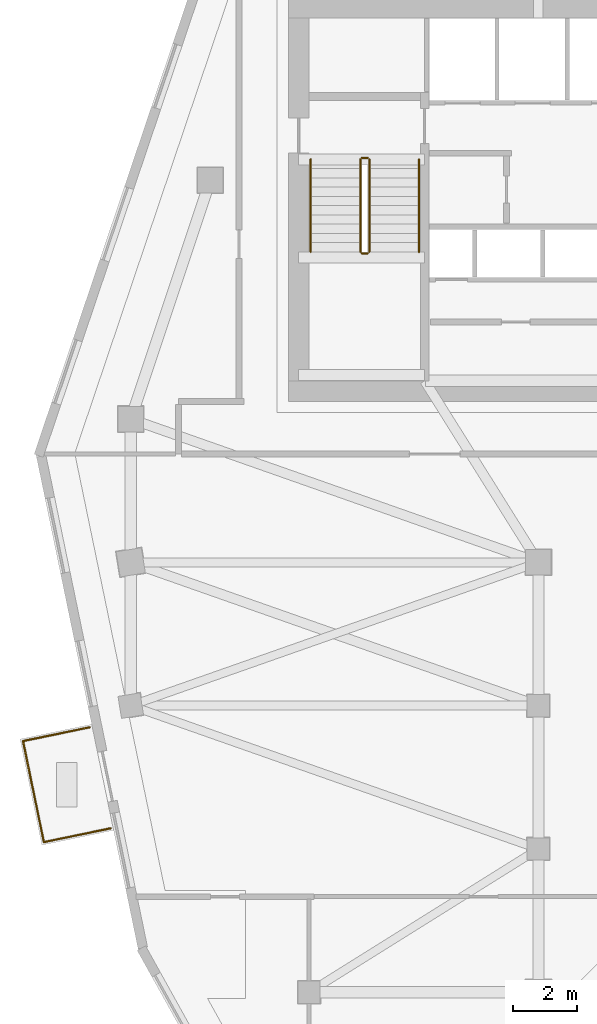
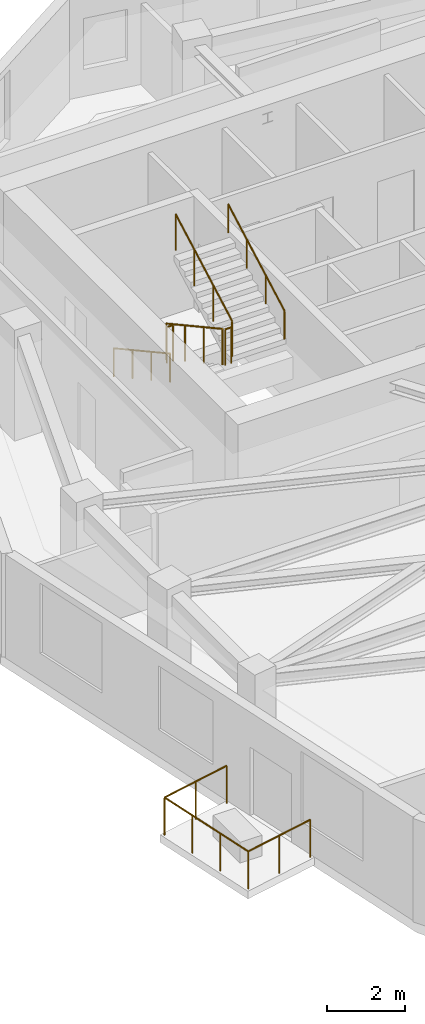
# One storey, part 7 of 9: 9 railings.
"""IFC4 building model written with IfcOpenShell, lengths in metres."""

from ifc_helpers import new_model, si_unit, direction, frame, origin, origin_2d, place, context, subcontext, project, spatial, circle, extrude, material, type_object, element, save


model = new_model("IFC4")

# Units and contexts
model_context = context("Model", 3, precision=1e-05, world=origin(), true_north=direction((0.0, 1.0)))
body_context = subcontext(model_context, "Body", "Model", "MODEL_VIEW")
ifc_project = project(units=[si_unit("LENGTHUNIT", "METRE"), si_unit("AREAUNIT", "SQUARE_METRE"), si_unit("VOLUMEUNIT", "CUBIC_METRE"), si_unit("PLANEANGLEUNIT", "RADIAN"), si_unit("MASSUNIT", "GRAM", prefix="KILO")], contexts=[model_context])

# Site, building, storey
site_placement = place(None, origin())
site = spatial("IfcSite", under=ifc_project, at=site_placement, CompositionType="ELEMENT")
building_placement = place(site_placement, origin())
building = spatial("IfcBuilding", under=site, at=building_placement, Name="Calvemar Wedge Station Tower", CompositionType="ELEMENT")
storey_placement = place(building_placement, frame((0.0, 0.0, 211.39990234375)))
storey = spatial("IfcBuildingStorey", under=building, at=storey_placement, Name="L53", CompositionType="ELEMENT", Elevation=211.39990234375)

# Railings
ifc_material_1 = material(Name="Stainless steel AISI 316L", Category="steel")
railing_type_1 = type_object("IfcRailingType", Name="GRD-TERR-1200", PredefinedType="GUARDRAIL", material=ifc_material_1)
railing_1_placement = place(storey_placement, frame((10.366455078125, 20.147216796875, 0.0)))
element("IfcRailing", 1, at=railing_1_placement, inside=storey, type_object=railing_type_1, Name="Storey L53 Spiral Terrace Guard 2", PredefinedType="GUARDRAIL", context=body_context, shape_type="SweptSolid", body=[
    extrude(circle(Radius=0.02392578125, at=origin_2d()), frame((0.0, 0.0, 1.17578125), z_axis=(-0.979341536127, -0.202213144024, 0.0), x_axis=(0.202213144024, -0.979341536127, 0.0)), (0.0, 0.0, 1.0), 2.139404296875),
    extrude(circle(Radius=0.02099609375, at=origin_2d()), origin(), (0.0, 0.0, 1.0), 1.15185546875),
    extrude(circle(Radius=0.02099609375, at=origin_2d()), frame((-1.047607421875, -0.21630859375, 0.0)), (0.0, 0.0, 1.0), 1.15185546875),
    extrude(circle(Radius=0.02099609375, at=origin_2d()), frame((-2.09521484375, -0.4326171875, 0.0)), (0.0, 0.0, 1.0), 1.15185546875),
])
railing_2_placement = place(storey_placement, frame((8.271240234375, 19.714599609375, 0.0)))
element("IfcRailing", 2, at=railing_2_placement, inside=storey, type_object=railing_type_1, Name="Storey L53 Spiral Terrace Guard 3", PredefinedType="GUARDRAIL", context=body_context, shape_type="SweptSolid", body=[
    extrude(circle(Radius=0.02392578125, at=origin_2d()), frame((0.0, 0.0, 1.17578125), z_axis=(-0.202097264891, 0.97936545555, 0.0), x_axis=(-0.97936545555, -0.202097264891, 0.0)), (0.0, 0.0, 1.0), 3.239990234375),
    extrude(circle(Radius=0.02099609375, at=origin_2d()), origin(), (0.0, 0.0, 1.0), 1.15185546875),
    extrude(circle(Radius=0.02099609375, at=origin_2d()), frame((-0.21826171875, 1.0576171875, 0.0)), (0.0, 0.0, 1.0), 1.15185546875),
    extrude(circle(Radius=0.02099609375, at=origin_2d()), frame((-0.4365234375, 2.115478515625, 0.0)), (0.0, 0.0, 1.0), 1.15185546875),
    extrude(circle(Radius=0.02099609375, at=origin_2d()), frame((-0.65478515625, 3.173095703125, 0.0)), (0.0, 0.0, 1.0), 1.15185546875),
])
railing_3_placement = place(storey_placement, frame((7.616455078125, 22.8876953125, 0.0)))
element("IfcRailing", 3, at=railing_3_placement, inside=storey, type_object=railing_type_1, Name="Storey L53 Spiral Terrace Guard 4", PredefinedType="GUARDRAIL", context=body_context, shape_type="SweptSolid", body=[
    extrude(circle(Radius=0.02392578125, at=origin_2d()), frame((0.0, 0.0, 1.17578125), z_axis=(0.979323601906, 0.202299982079, 0.0), x_axis=(-0.202299982079, 0.979323601906, 0.0)), (0.0, 0.0, 1.0), 2.1396484375),
    extrude(circle(Radius=0.02099609375, at=origin_2d()), origin(), (0.0, 0.0, 1.0), 1.15185546875),
    extrude(circle(Radius=0.02099609375, at=origin_2d()), frame((1.0478515625, 0.21630859375, 0.0)), (0.0, 0.0, 1.0), 1.15185546875),
    extrude(circle(Radius=0.02099609375, at=origin_2d()), frame((2.095458984375, 0.432861328125, 0.0)), (0.0, 0.0, 1.0), 1.15185546875),
])
railing_type_2 = type_object("IfcRailingType", Name="RL-HANDRAIL-920", PredefinedType="HANDRAIL", material=ifc_material_1)
railing_4_placement = place(storey_placement, frame((16.64990234375, 41.14990234375, 0.1591796875)))
element("IfcRailing", 4, at=railing_4_placement, inside=storey, type_object=railing_type_2, Name="L53 ST-C1 stair handrail 1", PredefinedType="HANDRAIL", context=body_context, shape_type="SweptSolid", body=[
    extrude(circle(Radius=0.02392578125, at=origin_2d()), frame((0.0, 0.0, 0.89599609375), z_axis=(0.0, -0.876742130028, 0.480960744171), x_axis=(1.0, 0.0, 0.0)), (0.0, 0.0, 1.0), 3.3076171875),
    extrude(circle(Radius=0.02099609375, at=origin_2d()), origin(), (0.0, 0.0, 1.0), 0.871826171875),
    extrude(circle(Radius=0.02099609375, at=origin_2d()), frame((0.0, -0.966552734375, 0.5302734375)), (0.0, 0.0, 1.0), 0.871826171875),
    extrude(circle(Radius=0.02099609375, at=origin_2d()), frame((0.0, -1.933349609375, 1.060546875)), (0.0, 0.0, 1.0), 0.871826171875),
    extrude(circle(Radius=0.02099609375, at=origin_2d()), frame((0.0, -2.89990234375, 1.5908203125)), (0.0, 0.0, 1.0), 0.871826171875),
])
railing_5_placement = place(storey_placement, frame((20.050048828125, 38.25, 1.9091796875)))
element("IfcRailing", 5, at=railing_5_placement, inside=storey, type_object=railing_type_2, Name="L53 ST-C1 stair handrail 2", PredefinedType="HANDRAIL", context=body_context, shape_type="SweptSolid", body=[
    extrude(circle(Radius=0.02392578125, at=origin_2d()), frame((0.0, 0.0, 0.89599609375), z_axis=(0.0, 0.876742130028, 0.480960744171), x_axis=(-1.0, 0.0, 0.0)), (0.0, 0.0, 1.0), 3.3076171875),
    extrude(circle(Radius=0.02099609375, at=origin_2d()), origin(), (0.0, 0.0, 1.0), 0.871826171875),
    extrude(circle(Radius=0.02099609375, at=origin_2d()), frame((0.0, 0.966552734375, 0.5302734375)), (0.0, 0.0, 1.0), 0.871826171875),
    extrude(circle(Radius=0.02099609375, at=origin_2d()), frame((0.0, 1.933349609375, 1.060546875)), (0.0, 0.0, 1.0), 0.871826171875),
    extrude(circle(Radius=0.02099609375, at=origin_2d()), frame((0.0, 2.89990234375, 1.5908203125)), (0.0, 0.0, 1.0), 0.871826171875),
])
ifc_material_2 = material(Name="Painted steel guardrail ASTM A500 Grade C", Category="steel")
railing_type_3 = type_object("IfcRailingType", Name="RL-STAIR-GUARD-1150", PredefinedType="GUARDRAIL", material=ifc_material_2)
railing_6_placement = place(storey_placement, frame((18.2099609375, 41.14990234375, 0.1591796875)))
element("IfcRailing", 6, at=railing_6_placement, inside=storey, type_object=railing_type_3, Name="L53 ST-C1 stair guard 1", PredefinedType="GUARDRAIL", context=body_context, shape_type="SweptSolid", body=[
    extrude(circle(Radius=0.02392578125, at=origin_2d()), frame((0.0, 0.0, 1.1259765625), z_axis=(0.0, -0.876742130028, 0.480960744171), x_axis=(1.0, 0.0, 0.0)), (0.0, 0.0, 1.0), 3.3076171875),
    extrude(circle(Radius=0.02099609375, at=origin_2d()), origin(), (0.0, 0.0, 1.0), 1.101806640625),
    extrude(circle(Radius=0.02099609375, at=origin_2d()), frame((0.0, -0.966552734375, 0.5302734375)), (0.0, 0.0, 1.0), 1.101806640625),
    extrude(circle(Radius=0.02099609375, at=origin_2d()), frame((0.0, -1.933349609375, 1.060546875)), (0.0, 0.0, 1.0), 1.101806640625),
    extrude(circle(Radius=0.02099609375, at=origin_2d()), frame((0.0, -2.89990234375, 1.5908203125)), (0.0, 0.0, 1.0), 1.101806640625),
])
railing_7_placement = place(storey_placement, frame((18.260009765625, 38.199951171875, 1.75)))
element("IfcRailing", 7, at=railing_7_placement, inside=storey, type_object=railing_type_3, Name="L53 ST-C1 stair guard 2", PredefinedType="GUARDRAIL", context=body_context, shape_type="SweptSolid", body=[
    extrude(circle(Radius=0.02392578125, at=origin_2d()), frame((0.0, 0.0, 1.1259765625), z_axis=(1.0, 0.0, 0.0), x_axis=(0.0, 1.0, 0.0)), (0.0, 0.0, 1.0), 0.179931640625),
    extrude(circle(Radius=0.02099609375, at=origin_2d()), origin(), (0.0, 0.0, 1.0), 1.101806640625),
    extrude(circle(Radius=0.02099609375, at=origin_2d()), frame((0.179931640625, 0.0, 0.0)), (0.0, 0.0, 1.0), 1.101806640625),
])
railing_8_placement = place(storey_placement, frame((18.489990234375, 38.25, 1.9091796875)))
element("IfcRailing", 8, at=railing_8_placement, inside=storey, type_object=railing_type_3, Name="L53 ST-C1 stair guard 3", PredefinedType="GUARDRAIL", context=body_context, shape_type="SweptSolid", body=[
    extrude(circle(Radius=0.02392578125, at=origin_2d()), frame((0.0, 0.0, 1.1259765625), z_axis=(0.0, 0.876742130028, 0.480960744171), x_axis=(-1.0, 0.0, 0.0)), (0.0, 0.0, 1.0), 3.3076171875),
    extrude(circle(Radius=0.02099609375, at=origin_2d()), origin(), (0.0, 0.0, 1.0), 1.101806640625),
    extrude(circle(Radius=0.02099609375, at=origin_2d()), frame((0.0, 0.966552734375, 0.5302734375)), (0.0, 0.0, 1.0), 1.101806640625),
    extrude(circle(Radius=0.02099609375, at=origin_2d()), frame((0.0, 1.933349609375, 1.060546875)), (0.0, 0.0, 1.0), 1.101806640625),
    extrude(circle(Radius=0.02099609375, at=origin_2d()), frame((0.0, 2.89990234375, 1.5908203125)), (0.0, 0.0, 1.0), 1.101806640625),
])
railing_9_placement = place(storey_placement, frame((18.260009765625, 41.199951171875, 0.0)))
element("IfcRailing", 9, at=railing_9_placement, inside=storey, type_object=railing_type_3, Name="L53 ST-C1 stair guard 4", PredefinedType="GUARDRAIL", context=body_context, shape_type="SweptSolid", body=[
    extrude(circle(Radius=0.02392578125, at=origin_2d()), frame((0.0, 0.0, 1.1259765625), z_axis=(1.0, 0.0, 0.0), x_axis=(0.0, 1.0, 0.0)), (0.0, 0.0, 1.0), 0.179931640625),
    extrude(circle(Radius=0.02099609375, at=origin_2d()), origin(), (0.0, 0.0, 1.0), 1.101806640625),
    extrude(circle(Radius=0.02099609375, at=origin_2d()), frame((0.179931640625, 0.0, 0.0)), (0.0, 0.0, 1.0), 1.101806640625),
])

save(model, "model.ifc")
